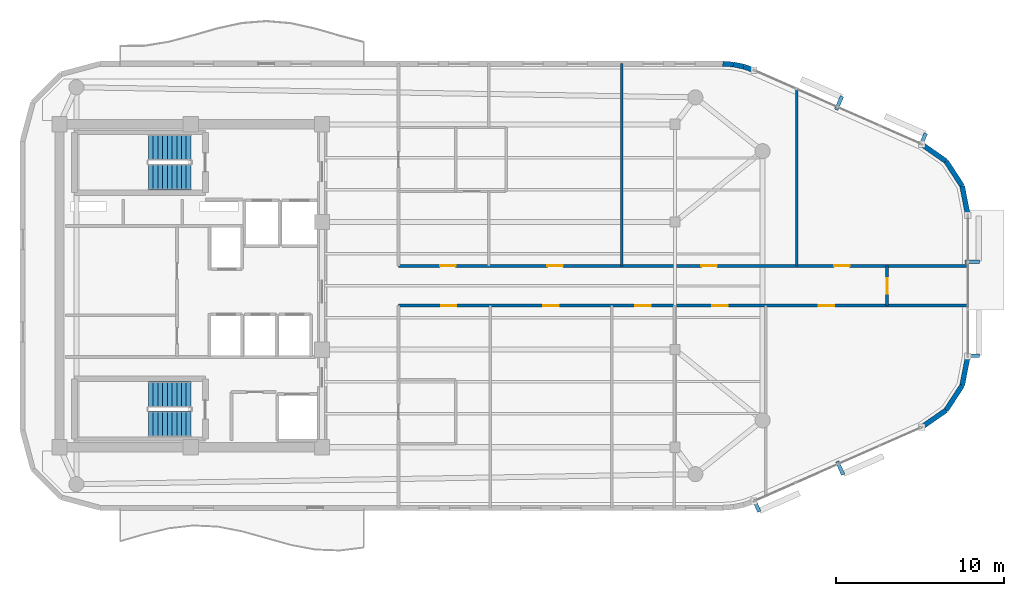
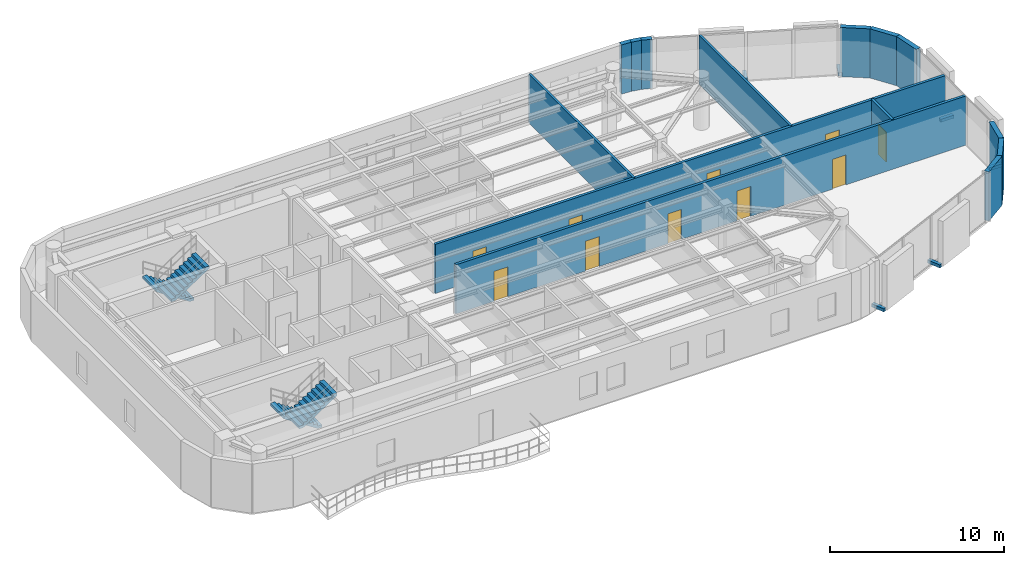
# One storey, part 10 of 14: 14 walls, 10 doors, 6 discrete accessories, 4 stair flights, 10 openings, 2 elements without a shape of their own.
"""IFC4 building model written with IfcOpenShell, lengths in metres."""

from ifc_helpers import new_model, si_unit, direction, frame, frame_2d, origin, origin_2d, place, context, subcontext, project, spatial, polyline, rectangle, outline, extrude, material, layer, layer_set, type_object, element, fill, aggregate, save


model = new_model("IFC4")

# Units and contexts
model_context = context("Model", 3, precision=1e-05, world=origin(), true_north=direction((0.0, 1.0)))
body_context = subcontext(model_context, "Body", "Model", "MODEL_VIEW")
ifc_project = project(units=[si_unit("LENGTHUNIT", "METRE"), si_unit("AREAUNIT", "SQUARE_METRE"), si_unit("VOLUMEUNIT", "CUBIC_METRE"), si_unit("PLANEANGLEUNIT", "RADIAN"), si_unit("MASSUNIT", "GRAM", prefix="KILO")], contexts=[model_context])

# Site, building, storey
site_placement = place(None, origin())
site = spatial("IfcSite", under=ifc_project, at=site_placement, CompositionType="ELEMENT")
building_placement = place(site_placement, origin())
building = spatial("IfcBuilding", under=site, at=building_placement, Name="An Khanh Terracotta Commons", CompositionType="ELEMENT")
storey_placement = place(building_placement, frame((0.0, 0.0, 280.699951171875)))
storey = spatial("IfcBuildingStorey", under=building, at=storey_placement, Name="L73", CompositionType="ELEMENT", Elevation=280.699951171875)

# Wall, openings, doors
ifc_material_1 = material(Name="Fire-Rated Gypsum Board on Steel Stud", Category="steel")
ifc_layer_1 = layer(ifc_material_1, 0.179931640625, Name="Fire-Rated Gypsum Board on Steel Stud")
ifc_layer_set_1 = layer_set([ifc_layer_1], Name="Fire-Rated Gypsum Board on Steel Stud")
wall_type_1 = type_object("IfcWallType", Name="WALL-CORR-180", PredefinedType="PARTITIONING", material=ifc_layer_set_1)
wall_1_placement = place(storey_placement, frame((41.75, 22.820068359375, 0.0), z_axis=(0.0, 0.0, 1.0), x_axis=(1.0, 0.0, 0.0)))
wall_1 = element("IfcWall", 1, at=wall_1_placement, inside=storey, type_object=wall_type_1, Name="L73 Interior Partition IW-L73-E003", PredefinedType="PARTITIONING", context=body_context, shape_type="SweptSolid", body=[
    extrude(rectangle(XDim=33.85009765625, YDim=0.179931640625, at=frame_2d((16.925048828125, 0.0))), origin(), (0.0, 0.0, 1.0), 3.449951171875),
])
opening_1_placement = place(wall_1_placement, frame((2.530029296875, 0.0, 0.0)))
opening_1 = element("IfcOpeningElement", 2, at=opening_1_placement, cuts=wall_1, Name="Opening D-RM", PredefinedType="OPENING", context=body_context, shape_type="SweptSolid", body=[
    extrude(rectangle(XDim=0.919921875, YDim=2.10009765625, at=frame_2d((0.4599609375, 1.050048828125))), frame((0.0, 0.099853515625, 0.0), z_axis=(0.0, -1.0, 0.0), x_axis=(1.0, 0.0, 0.0)), (0.0, 0.0, 1.0), 0.199951171875),
])
opening_2_placement = place(wall_1_placement, frame((8.60400390625, 0.0, 0.0)))
opening_2 = element("IfcOpeningElement", 3, at=opening_2_placement, cuts=wall_1, Name="Opening D-RM", PredefinedType="OPENING", context=body_context, shape_type="SweptSolid", body=[
    extrude(rectangle(XDim=0.919921875, YDim=2.10009765625, at=frame_2d((0.4599609375, 1.050048828125))), frame((0.0, 0.099853515625, 0.0), z_axis=(0.0, -1.0, 0.0), x_axis=(1.0, 0.0, 0.0)), (0.0, 0.0, 1.0), 0.199951171875),
])
opening_3_placement = place(wall_1_placement, frame((14.06494140625, 0.0, 0.0)))
opening_3 = element("IfcOpeningElement", 4, at=opening_3_placement, cuts=wall_1, Name="Opening D-RM", PredefinedType="OPENING", context=body_context, shape_type="SweptSolid", body=[
    extrude(rectangle(XDim=0.919921875, YDim=2.10009765625, at=frame_2d((0.4599609375, 1.050048828125))), frame((0.0, 0.099853515625, 0.0), z_axis=(0.0, -1.0, 0.0), x_axis=(1.0, 0.0, 0.0)), (0.0, 0.0, 1.0), 0.199951171875),
])
opening_4_placement = place(wall_1_placement, frame((18.652099609375, 0.0, 0.0)))
opening_4 = element("IfcOpeningElement", 5, at=opening_4_placement, cuts=wall_1, Name="Opening D-RM", PredefinedType="OPENING", context=body_context, shape_type="SweptSolid", body=[
    extrude(rectangle(XDim=0.919921875, YDim=2.10009765625, at=frame_2d((0.4599609375, 1.050048828125))), frame((0.0, 0.099853515625, 0.0), z_axis=(0.0, -1.0, 0.0), x_axis=(1.0, 0.0, 0.0)), (0.0, 0.0, 1.0), 0.199951171875),
])
opening_5_placement = place(wall_1_placement, frame((24.986083984375, 0.0, 0.0)))
opening_5 = element("IfcOpeningElement", 6, at=opening_5_placement, cuts=wall_1, Name="Opening D-RM", PredefinedType="OPENING", context=body_context, shape_type="SweptSolid", body=[
    extrude(rectangle(XDim=0.919921875, YDim=2.10009765625, at=frame_2d((0.4599609375, 1.050048828125))), frame((0.0, 0.099853515625, 0.0), z_axis=(0.0, -1.0, 0.0), x_axis=(1.0, 0.0, 0.0)), (0.0, 0.0, 1.0), 0.199951171875),
])
ifc_material_2 = material(Name="Engineered Hardwood Timber Leaf", Category="wood")
door_type = type_object("IfcDoorType", Name="DOOR-INT-920", OperationType="NOTDEFINED", PredefinedType="DOOR", material=ifc_material_2)
door_1_placement = place(opening_1_placement, origin())
door_1 = element("IfcDoor", 7, at=door_1_placement, inside=storey, type_object=door_type, Name="L73 SB1 Collaborative Study Lounge Door", OperationType="SINGLE_SWING_LEFT", OverallHeight=2.10009765625, OverallWidth=0.919921875, PredefinedType="DOOR", context=body_context, shape_type="SweptSolid", body=[
    extrude(rectangle(XDim=0.919921875, YDim=2.10009765625, at=frame_2d((0.4599609375, 1.050048828125))), frame((0.0, 0.02490234375, 0.0), z_axis=(0.0, -1.0, 0.0), x_axis=(1.0, 0.0, 0.0)), (0.0, 0.0, 1.0), 0.050048828125),
])
fill(opening_1, door_1)
door_2_placement = place(opening_2_placement, origin())
door_2 = element("IfcDoor", 8, at=door_2_placement, inside=storey, type_object=door_type, Name="L73 SB2 Collaborative Study Lounge Door", OperationType="SINGLE_SWING_RIGHT", OverallHeight=2.10009765625, OverallWidth=0.919921875, PredefinedType="DOOR", context=body_context, shape_type="SweptSolid", body=[
    extrude(rectangle(XDim=0.919921875, YDim=2.10009765625, at=frame_2d((0.4599609375, 1.050048828125))), frame((0.0, 0.02490234375, 0.0), z_axis=(0.0, -1.0, 0.0), x_axis=(1.0, 0.0, 0.0)), (0.0, 0.0, 1.0), 0.050048828125),
])
fill(opening_2, door_2)
door_3_placement = place(opening_3_placement, origin())
door_3 = element("IfcDoor", 9, at=door_3_placement, inside=storey, type_object=door_type, Name="L73 SB3 Collaborative Study Lounge Door", OperationType="SINGLE_SWING_LEFT", OverallHeight=2.10009765625, OverallWidth=0.919921875, PredefinedType="DOOR", context=body_context, shape_type="SweptSolid", body=[
    extrude(rectangle(XDim=0.919921875, YDim=2.10009765625, at=frame_2d((0.4599609375, 1.050048828125))), frame((0.0, 0.02490234375, 0.0), z_axis=(0.0, -1.0, 0.0), x_axis=(1.0, 0.0, 0.0)), (0.0, 0.0, 1.0), 0.050048828125),
])
fill(opening_3, door_3)
door_4_placement = place(opening_4_placement, origin())
door_4 = element("IfcDoor", 10, at=door_4_placement, inside=storey, type_object=door_type, Name="L73 SB4 Collaborative Study Lounge Door", OperationType="SINGLE_SWING_RIGHT", OverallHeight=2.10009765625, OverallWidth=0.919921875, PredefinedType="DOOR", context=body_context, shape_type="SweptSolid", body=[
    extrude(rectangle(XDim=0.919921875, YDim=2.10009765625, at=frame_2d((0.4599609375, 1.050048828125))), frame((0.0, 0.02490234375, 0.0), z_axis=(0.0, -1.0, 0.0), x_axis=(1.0, 0.0, 0.0)), (0.0, 0.0, 1.0), 0.050048828125),
])
fill(opening_4, door_4)
door_5_placement = place(opening_5_placement, origin())
door_5 = element("IfcDoor", 11, at=door_5_placement, inside=storey, type_object=door_type, Name="L73 SB5 Riverfront Reading Hall Door", OperationType="SINGLE_SWING_LEFT", OverallHeight=2.10009765625, OverallWidth=0.919921875, PredefinedType="DOOR", context=body_context, shape_type="SweptSolid", body=[
    extrude(rectangle(XDim=0.919921875, YDim=2.10009765625, at=frame_2d((0.4599609375, 1.050048828125))), frame((0.0, 0.02490234375, 0.0), z_axis=(0.0, -1.0, 0.0), x_axis=(1.0, 0.0, 0.0)), (0.0, 0.0, 1.0), 0.050048828125),
])
fill(opening_5, door_5)

wall_2_placement = place(storey_placement, frame((41.75, 25.179931640625, 0.0), z_axis=(0.0, 0.0, 1.0), x_axis=(1.0, 0.0, 0.0)))
wall_2 = element("IfcWall", 12, at=wall_2_placement, inside=storey, type_object=wall_type_1, Name="L73 Interior Partition IW-L73-E004", PredefinedType="PARTITIONING", context=body_context, shape_type="SweptSolid", body=[
    extrude(rectangle(XDim=33.85009765625, YDim=0.179931640625, at=frame_2d((16.925048828125, 0.0))), origin(), (0.0, 0.0, 1.0), 3.449951171875),
])
opening_6_placement = place(wall_2_placement, frame((2.48388671875, 0.0, 0.0)))
opening_6 = element("IfcOpeningElement", 13, at=opening_6_placement, cuts=wall_2, Name="Opening D-RM", PredefinedType="OPENING", context=body_context, shape_type="SweptSolid", body=[
    extrude(rectangle(XDim=0.919921875, YDim=2.10009765625, at=frame_2d((0.4599609375, 1.050048828125))), frame((0.0, 0.099853515625, 0.0), z_axis=(0.0, -1.0, 0.0), x_axis=(1.0, 0.0, 0.0)), (0.0, 0.0, 1.0), 0.199951171875),
])
opening_7_placement = place(wall_2_placement, frame((8.85498046875, 0.0, 0.0)))
opening_7 = element("IfcOpeningElement", 14, at=opening_7_placement, cuts=wall_2, Name="Opening D-RM", PredefinedType="OPENING", context=body_context, shape_type="SweptSolid", body=[
    extrude(rectangle(XDim=0.919921875, YDim=2.10009765625, at=frame_2d((0.4599609375, 1.050048828125))), frame((0.0, 0.099853515625, 0.0), z_axis=(0.0, -1.0, 0.0), x_axis=(1.0, 0.0, 0.0)), (0.0, 0.0, 1.0), 0.199951171875),
])
opening_8_placement = place(wall_2_placement, frame((18.011962890625, 0.0, 0.0)))
opening_8 = element("IfcOpeningElement", 15, at=opening_8_placement, cuts=wall_2, Name="Opening D-RM", PredefinedType="OPENING", context=body_context, shape_type="SweptSolid", body=[
    extrude(rectangle(XDim=0.919921875, YDim=2.10009765625, at=frame_2d((0.4599609375, 1.050048828125))), frame((0.0, 0.099853515625, 0.0), z_axis=(0.0, -1.0, 0.0), x_axis=(1.0, 0.0, 0.0)), (0.0, 0.0, 1.0), 0.199951171875),
])
opening_9_placement = place(wall_2_placement, frame((25.906005859375, 0.0, 0.0)))
opening_9 = element("IfcOpeningElement", 16, at=opening_9_placement, cuts=wall_2, Name="Opening D-RM", PredefinedType="OPENING", context=body_context, shape_type="SweptSolid", body=[
    extrude(rectangle(XDim=0.919921875, YDim=2.10009765625, at=frame_2d((0.4599609375, 1.050048828125))), frame((0.0, 0.099853515625, 0.0), z_axis=(0.0, -1.0, 0.0), x_axis=(1.0, 0.0, 0.0)), (0.0, 0.0, 1.0), 0.199951171875),
])
door_6_placement = place(opening_6_placement, origin())
door_6 = element("IfcDoor", 17, at=door_6_placement, inside=storey, type_object=door_type, Name="L73 NB1 Observatory Study Hall Door", OperationType="SINGLE_SWING_LEFT", OverallHeight=2.10009765625, OverallWidth=0.919921875, PredefinedType="DOOR", context=body_context, shape_type="SweptSolid", body=[
    extrude(rectangle(XDim=0.919921875, YDim=2.10009765625, at=frame_2d((0.4599609375, 1.050048828125))), frame((0.0, 0.02490234375, 0.0), z_axis=(0.0, -1.0, 0.0), x_axis=(1.0, 0.0, 0.0)), (0.0, 0.0, 1.0), 0.050048828125),
])
fill(opening_6, door_6)
door_7_placement = place(opening_7_placement, origin())
door_7 = element("IfcDoor", 18, at=door_7_placement, inside=storey, type_object=door_type, Name="L73 NB2 Riverfront Reading Hall Door", OperationType="SINGLE_SWING_RIGHT", OverallHeight=2.10009765625, OverallWidth=0.919921875, PredefinedType="DOOR", context=body_context, shape_type="SweptSolid", body=[
    extrude(rectangle(XDim=0.919921875, YDim=2.10009765625, at=frame_2d((0.4599609375, 1.050048828125))), frame((0.0, 0.02490234375, 0.0), z_axis=(0.0, -1.0, 0.0), x_axis=(1.0, 0.0, 0.0)), (0.0, 0.0, 1.0), 0.050048828125),
])
fill(opening_7, door_7)
door_8_placement = place(opening_8_placement, origin())
door_8 = element("IfcDoor", 19, at=door_8_placement, inside=storey, type_object=door_type, Name="L73 NB3 Observatory Study Hall Door", OperationType="SINGLE_SWING_LEFT", OverallHeight=2.10009765625, OverallWidth=0.919921875, PredefinedType="DOOR", context=body_context, shape_type="SweptSolid", body=[
    extrude(rectangle(XDim=0.919921875, YDim=2.10009765625, at=frame_2d((0.4599609375, 1.050048828125))), frame((0.0, 0.02490234375, 0.0), z_axis=(0.0, -1.0, 0.0), x_axis=(1.0, 0.0, 0.0)), (0.0, 0.0, 1.0), 0.050048828125),
])
fill(opening_8, door_8)
door_9_placement = place(opening_9_placement, origin())
door_9 = element("IfcDoor", 20, at=door_9_placement, inside=storey, type_object=door_type, Name="L73 NB4 Music Lounge Door", OperationType="SINGLE_SWING_RIGHT", OverallHeight=2.10009765625, OverallWidth=0.919921875, PredefinedType="DOOR", context=body_context, shape_type="SweptSolid", body=[
    extrude(rectangle(XDim=0.919921875, YDim=2.10009765625, at=frame_2d((0.4599609375, 1.050048828125))), frame((0.0, 0.02490234375, 0.0), z_axis=(0.0, -1.0, 0.0), x_axis=(1.0, 0.0, 0.0)), (0.0, 0.0, 1.0), 0.050048828125),
])
fill(opening_9, door_9)

# Wall, opening, door
wall_3_placement = place(storey_placement, frame((70.800048828125, 22.820068359375, 0.0), z_axis=(0.0, 0.0, 1.0), x_axis=(0.0, 1.0, 0.0)))
wall_3 = element("IfcWall", 21, at=wall_3_placement, inside=storey, type_object=wall_type_1, Name="L73 Interior Partition IW-L73-E020", PredefinedType="PARTITIONING", context=body_context, shape_type="SweptSolid", body=[
    extrude(rectangle(XDim=2.35986328125, YDim=0.179931640625, at=frame_2d((1.179931640625, 0.0))), origin(), (0.0, 0.0, 1.0), 3.449951171875),
])
opening_10_placement = place(wall_3_placement, frame((0.719970703125, 0.0, 0.0)))
opening_10 = element("IfcOpeningElement", 22, at=opening_10_placement, cuts=wall_3, Name="Opening D-RM", PredefinedType="OPENING", context=body_context, shape_type="SweptSolid", body=[
    extrude(rectangle(XDim=0.919921875, YDim=2.10009765625, at=frame_2d((0.4599609375, 1.050048828125))), frame((0.0, 0.099853515625, 0.0), z_axis=(0.0, -1.0, 0.0), x_axis=(1.0, 0.0, 0.0)), (0.0, 0.0, 1.0), 0.199951171875),
])
door_10_placement = place(opening_10_placement, origin())
door_10 = element("IfcDoor", 23, at=door_10_placement, inside=storey, type_object=door_type, Name="L73 GHE Riverfront Study Office Door", OperationType="SINGLE_SWING_RIGHT", OverallHeight=2.10009765625, OverallWidth=0.919921875, PredefinedType="DOOR", context=body_context, shape_type="SweptSolid", body=[
    extrude(rectangle(XDim=0.919921875, YDim=2.10009765625, at=frame_2d((0.4599609375, 1.050048828125))), frame((0.0, 0.02490234375, 0.0), z_axis=(0.0, -1.0, 0.0), x_axis=(1.0, 0.0, 0.0)), (0.0, 0.0, 1.0), 0.050048828125),
])
fill(opening_10, door_10)

# Walls
ifc_material_3 = material(Name="Precast concrete C40/50", Category="concrete")
ifc_layer_2 = layer(ifc_material_3, 0.300048828125, Name="Precast concrete C40/50")
ifc_layer_set_2 = layer_set([ifc_layer_2], Name="Precast concrete C40/50")
wall_type_2 = type_object("IfcWallType", Name="WALL-EXT-300", PredefinedType="SOLIDWALL", material=ifc_layer_set_2)
wall_4_placement = place(storey_placement, frame((72.85693359375, 15.590087890625, 0.0), z_axis=(0.0, 0.0, 1.0), x_axis=(0.821006966142, 0.570918174124, 0.0)))
element("IfcWall", 24, at=wall_4_placement, inside=storey, type_object=wall_type_2, Name="L73 Insulated Terracotta Exterior Wall 9", PredefinedType="SOLIDWALL", context=body_context, shape_type="SweptSolid", body=[
    extrude(rectangle(XDim=1.760009765625, YDim=0.300048828125, at=frame_2d((0.8798828125, 0.0))), origin(), (0.0, 0.0, 1.0), 3.449951171875),
])
for number, where, z_axis, x_axis, name in (
    (25, (74.302001953125, 16.594970703125, 0.0), (0.0, 0.0, 1.0), (0.545836224831, 0.837891887813, 0.0), "L73 Insulated Terracotta Exterior Wall 10"),
    (26, (75.262939453125, 18.070068359375, 0.0), (0.0, 0.0, 1.0), (0.1915005851, 0.981492499159, 0.0), "L73 Insulated Terracotta Exterior Wall 11"),
    (27, (75.60009765625, 28.201904296875, 0.0), (0.0, 0.0, 1.0), (-0.1915005851, 0.981492499159, 0.0), "L73 Insulated Terracotta Exterior Wall 13"),
    (28, (75.262939453125, 29.929931640625, 0.0), (0.0, 0.0, 1.0), (-0.545836224831, 0.837891887813, 0.0), "L73 Insulated Terracotta Exterior Wall 14"),
):
    element("IfcWall", number, at=place(storey_placement, frame(where, z_axis=z_axis, x_axis=x_axis)), inside=storey, type_object=wall_type_2, Name=name, PredefinedType="SOLIDWALL", context=body_context, shape_type="SweptSolid", body=[
        extrude(rectangle(XDim=1.760498046875, YDim=0.300048828125, at=frame_2d((0.88037109375, 0.0))), origin(), (0.0, 0.0, 1.0), 3.449951171875),
    ])
wall_5_placement = place(storey_placement, frame((74.302001953125, 31.405029296875, 0.0), z_axis=(0.0, 0.0, 1.0), x_axis=(-0.821006966142, 0.570918174124, 0.0)))
element("IfcWall", 29, at=wall_5_placement, inside=storey, type_object=wall_type_2, Name="L73 Insulated Terracotta Exterior Wall 15", PredefinedType="SOLIDWALL", context=body_context, shape_type="SweptSolid", body=[
    extrude(rectangle(XDim=1.760009765625, YDim=0.300048828125, at=frame_2d((0.8798828125, 0.0))), origin(), (0.0, 0.0, 1.0), 3.449951171875),
])
wall_6_placement = place(storey_placement, frame((62.886962890625, 36.80908203125, 0.0), z_axis=(0.0, 0.0, 1.0), x_axis=(-0.94077491148, 0.339031806665, 0.0)))
element("IfcWall", 30, at=wall_6_placement, inside=storey, type_object=wall_type_2, Name="L73 Insulated Terracotta Exterior Wall 17", PredefinedType="SOLIDWALL", context=body_context, shape_type="SweptSolid", body=[
    extrude(rectangle(XDim=0.636474609375, YDim=0.300048828125, at=frame_2d((0.318359375, 0.0))), origin(), (0.0, 0.0, 1.0), 3.449951171875),
])
wall_7_placement = place(storey_placement, frame((62.2880859375, 37.02490234375, 0.0), z_axis=(0.0, 0.0, 1.0), x_axis=(-0.97857012251, 0.205913854149, 0.0)))
element("IfcWall", 31, at=wall_7_placement, inside=storey, type_object=wall_type_2, Name="L73 Insulated Terracotta Exterior Wall 18", PredefinedType="SOLIDWALL", context=body_context, shape_type="SweptSolid", body=[
    extrude(rectangle(XDim=0.63671875, YDim=0.300048828125, at=frame_2d((0.318359375, 0.0))), origin(), (0.0, 0.0, 1.0), 3.449951171875),
])
wall_8_placement = place(storey_placement, frame((61.6650390625, 37.156005859375, 0.0), z_axis=(0.0, 0.0, 1.0), x_axis=(-0.997613959688, 0.069039028352, 0.0)))
element("IfcWall", 32, at=wall_8_placement, inside=storey, type_object=wall_type_2, Name="L73 Insulated Terracotta Exterior Wall 19", PredefinedType="SOLIDWALL", context=body_context, shape_type="SweptSolid", body=[
    extrude(rectangle(XDim=0.636474609375, YDim=0.300048828125, at=frame_2d((0.318359375, 0.0))), origin(), (0.0, 0.0, 1.0), 3.449951171875),
])
ifc_material_4 = material(Name="Acoustic Gypsum Board Partition")
ifc_layer_3 = layer(ifc_material_4, 0.14990234375, Name="Acoustic Gypsum Board Partition")
ifc_layer_set_3 = layer_set([ifc_layer_3], Name="Acoustic Gypsum Board Partition")
wall_type_3 = type_object("IfcWallType", Name="WALL-PART-150", PredefinedType="PARTITIONING", material=ifc_layer_set_3)
wall_9_placement = place(storey_placement, frame((55.011962890625, 25.179931640625, 0.0), z_axis=(0.0, 0.0, 1.0), x_axis=(0.0, 1.0, 0.0)))
element("IfcWall", 33, at=wall_9_placement, inside=storey, type_object=wall_type_3, Name="L73 Interior Partition IW-L73-E016", PredefinedType="PARTITIONING", context=body_context, shape_type="SweptSolid", body=[
    extrude(rectangle(XDim=12.02001953125, YDim=0.14990234375, at=frame_2d((6.010009765625, 0.0))), origin(), (0.0, 0.0, 1.0), 3.449951171875),
])
wall_10_placement = place(storey_placement, frame((65.431884765625, 25.179931640625, 0.0), z_axis=(0.0, 0.0, 1.0), x_axis=(0.0, 1.0, 0.0)))
element("IfcWall", 34, at=wall_10_placement, inside=storey, type_object=wall_type_3, Name="L73 Interior Partition IW-L73-E019", PredefinedType="PARTITIONING", context=body_context, shape_type="SweptSolid", body=[
    extrude(rectangle(XDim=10.506103515625, YDim=0.14990234375, at=frame_2d((5.2529296875, 0.0))), origin(), (0.0, 0.0, 1.0), 3.449951171875),
])

# Stair, stair flights
stair_type = type_object("IfcStairType", Name="STAIR-CORE-1550", PredefinedType="HALF_TURN_STAIR", material=ifc_material_3)
stair_1_placement = place(storey_placement, origin())
stair_1 = element("IfcStair", 35, at=stair_1_placement, inside=storey, type_object=stair_type, Name="L73 Core Smokeproof Exit Stair ST-01", PredefinedType="HALF_TURN_STAIR")
stair_flight_type = type_object("IfcStairFlightType", Name="FLIGHT-CORE-1550", PredefinedType="STRAIGHT", material=ifc_material_3)
stair_flight_1_placement = place(storey_placement, frame((29.409912109375, 32.22509765625, 0.0), z_axis=(0.0, 0.0, 1.0), x_axis=(-1.0, 0.0, 0.0)))
stair_flight_1 = element("IfcStairFlight", 36, at=stair_flight_1_placement, type_object=stair_flight_type, Name="ST-01 flight 1", NumberOfRisers=10, NumberOfTreads=9, PredefinedType="STRAIGHT", RiserHeight=0.1825, TreadLength=0.28, context=body_context, shape_type="SweptSolid", body=[
    extrude(outline(polyline([(0.0, 0.0), (0.0, 0.1826171875), (0.280029296875, 0.1826171875), (0.280029296875, 0.364990234375), (0.56005859375, 0.364990234375), (0.56005859375, 0.547607421875), (0.840087890625, 0.547607421875), (0.840087890625, 0.72998046875), (1.1201171875, 0.72998046875), (1.1201171875, 0.91259765625), (1.39990234375, 0.91259765625), (1.39990234375, 1.094970703125), (1.679931640625, 1.094970703125), (1.679931640625, 1.277587890625), (1.9599609375, 1.277587890625), (1.9599609375, 1.4599609375), (2.239990234375, 1.4599609375), (2.239990234375, 1.642578125), (2.52001953125, 1.642578125), (2.52001953125, 1.824951171875), (2.52001953125, 1.463623046875), (0.2744140625, 0.0), (0.0, 0.0)])), frame((0.0, 0.77490234375, 0.0), z_axis=(0.0, -1.0, 0.0), x_axis=(1.0, 0.0, 0.0)), (0.0, 0.0, 1.0), 1.550048828125),
])
stair_flight_2_placement = place(storey_placement, frame((26.889892578125, 30.47509765625, 1.824951171875), z_axis=(0.0, 0.0, 1.0), x_axis=(1.0, 0.0, 0.0)))
stair_flight_2 = element("IfcStairFlight", 37, at=stair_flight_2_placement, type_object=stair_flight_type, Name="ST-01 flight 2", NumberOfRisers=10, NumberOfTreads=9, PredefinedType="STRAIGHT", RiserHeight=0.1825, TreadLength=0.28, context=body_context, shape_type="SweptSolid", body=[
    extrude(outline(polyline([(0.0, 0.0), (0.0, 0.1826171875), (0.280029296875, 0.1826171875), (0.280029296875, 0.364990234375), (0.56005859375, 0.364990234375), (0.56005859375, 0.547607421875), (0.840087890625, 0.547607421875), (0.840087890625, 0.72998046875), (1.1201171875, 0.72998046875), (1.1201171875, 0.91259765625), (1.39990234375, 0.91259765625), (1.39990234375, 1.094970703125), (1.679931640625, 1.094970703125), (1.679931640625, 1.277587890625), (1.9599609375, 1.277587890625), (1.9599609375, 1.4599609375), (2.239990234375, 1.4599609375), (2.239990234375, 1.642578125), (2.52001953125, 1.642578125), (2.52001953125, 1.824951171875), (2.52001953125, 1.463623046875), (0.2744140625, 0.0), (0.0, 0.0)])), frame((0.0, 0.77490234375, 0.0), z_axis=(0.0, -1.0, 0.0), x_axis=(1.0, 0.0, 0.0)), (0.0, 0.0, 1.0), 1.550048828125),
])
aggregate(stair_1, [stair_flight_1, stair_flight_2])

stair_2_placement = place(storey_placement, origin())
stair_2 = element("IfcStair", 38, at=stair_2_placement, inside=storey, type_object=stair_type, Name="L73 Core Smokeproof Exit Stair ST-02", PredefinedType="HALF_TURN_STAIR")
stair_flight_3_placement = place(storey_placement, frame((29.409912109375, 17.52490234375, 0.0), z_axis=(0.0, 0.0, 1.0), x_axis=(-1.0, 0.0, 0.0)))
stair_flight_3 = element("IfcStairFlight", 39, at=stair_flight_3_placement, type_object=stair_flight_type, Name="ST-02 flight 1", NumberOfRisers=10, NumberOfTreads=9, PredefinedType="STRAIGHT", RiserHeight=0.1825, TreadLength=0.28, context=body_context, shape_type="SweptSolid", body=[
    extrude(outline(polyline([(0.0, 0.0), (0.0, 0.1826171875), (0.280029296875, 0.1826171875), (0.280029296875, 0.364990234375), (0.56005859375, 0.364990234375), (0.56005859375, 0.547607421875), (0.840087890625, 0.547607421875), (0.840087890625, 0.72998046875), (1.1201171875, 0.72998046875), (1.1201171875, 0.91259765625), (1.39990234375, 0.91259765625), (1.39990234375, 1.094970703125), (1.679931640625, 1.094970703125), (1.679931640625, 1.277587890625), (1.9599609375, 1.277587890625), (1.9599609375, 1.4599609375), (2.239990234375, 1.4599609375), (2.239990234375, 1.642578125), (2.52001953125, 1.642578125), (2.52001953125, 1.824951171875), (2.52001953125, 1.463623046875), (0.2744140625, 0.0), (0.0, 0.0)])), frame((0.0, 0.77490234375, 0.0), z_axis=(0.0, -1.0, 0.0), x_axis=(1.0, 0.0, 0.0)), (0.0, 0.0, 1.0), 1.550048828125),
])
stair_flight_4_placement = place(storey_placement, frame((26.889892578125, 15.77490234375, 1.824951171875), z_axis=(0.0, 0.0, 1.0), x_axis=(1.0, 0.0, 0.0)))
stair_flight_4 = element("IfcStairFlight", 40, at=stair_flight_4_placement, type_object=stair_flight_type, Name="ST-02 flight 2", NumberOfRisers=10, NumberOfTreads=9, PredefinedType="STRAIGHT", RiserHeight=0.1825, TreadLength=0.28, context=body_context, shape_type="SweptSolid", body=[
    extrude(outline(polyline([(0.0, 0.0), (0.0, 0.1826171875), (0.280029296875, 0.1826171875), (0.280029296875, 0.364990234375), (0.56005859375, 0.364990234375), (0.56005859375, 0.547607421875), (0.840087890625, 0.547607421875), (0.840087890625, 0.72998046875), (1.1201171875, 0.72998046875), (1.1201171875, 0.91259765625), (1.39990234375, 0.91259765625), (1.39990234375, 1.094970703125), (1.679931640625, 1.094970703125), (1.679931640625, 1.277587890625), (1.9599609375, 1.277587890625), (1.9599609375, 1.4599609375), (2.239990234375, 1.4599609375), (2.239990234375, 1.642578125), (2.52001953125, 1.642578125), (2.52001953125, 1.824951171875), (2.52001953125, 1.463623046875), (0.2744140625, 0.0), (0.0, 0.0)])), frame((0.0, 0.77490234375, 0.0), z_axis=(0.0, -1.0, 0.0), x_axis=(1.0, 0.0, 0.0)), (0.0, 0.0, 1.0), 1.550048828125),
])
aggregate(stair_2, [stair_flight_3, stair_flight_4])

# Discrete accessories
ifc_material_5 = material(Name="Stainless Steel Grade 316L", Category="steel")
discrete_accessory_type = type_object("IfcDiscreteAccessoryType", Name="Stainless Outrigger Facade Bracket", PredefinedType="BRACKET", material=ifc_material_5)
for number, where, z_axis, x_axis, name in (
    (41, (63.02587890625, 10.962890625, 0.06982421875), (0.0, 0.0, 1.0), (0.914901853201, 0.403676354285, 0.0), "L73 Terracotta Screen Outrigger Bracket 1"),
    (42, (68.010986328125, 13.162109375, 0.06982421875), (0.0, 0.0, 1.0), (0.914901853201, 0.403676354285, 0.0), "L73 Terracotta Screen Outrigger Bracket 3"),
    (43, (75.864990234375, 19.8330078125, 0.06982421875), (0.0, 0.0, 1.0), (0.0, 1.0, 0.0), "L73 Terracotta Screen Outrigger Bracket 1"),
    (44, (75.864990234375, 25.43603515625, 0.06982421875), (0.0, 0.0, 1.0), (0.0, 1.0, 0.0), "L73 Terracotta Screen Outrigger Bracket 3"),
    (45, (72.931884765625, 32.6669921875, 0.06982421875), (0.0, 0.0, 1.0), (-0.914901853201, 0.403676354285, 0.0), "L73 Terracotta Screen Outrigger Bracket 1"),
    (46, (67.947021484375, 34.865966796875, 0.06982421875), (0.0, 0.0, 1.0), (-0.914901853201, 0.403676354285, 0.0), "L73 Terracotta Screen Outrigger Bracket 3"),
):
    element("IfcDiscreteAccessory", number, at=place(storey_placement, frame(where, z_axis=z_axis, x_axis=x_axis)), inside=storey, type_object=discrete_accessory_type, Name=name, PredefinedType="BRACKET", context=body_context, shape_type="SweptSolid", body=[
        extrude(rectangle(XDim=0.219970703125, YDim=0.8701171875, at=origin_2d()), origin(), (0.0, 0.0, 1.0), 0.219970703125),
    ])

save(model, "model.ifc")
